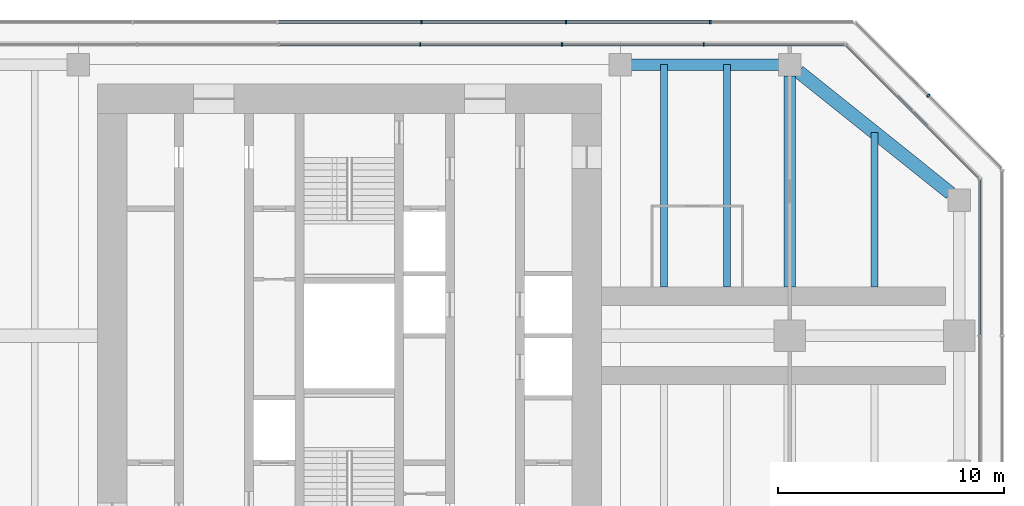
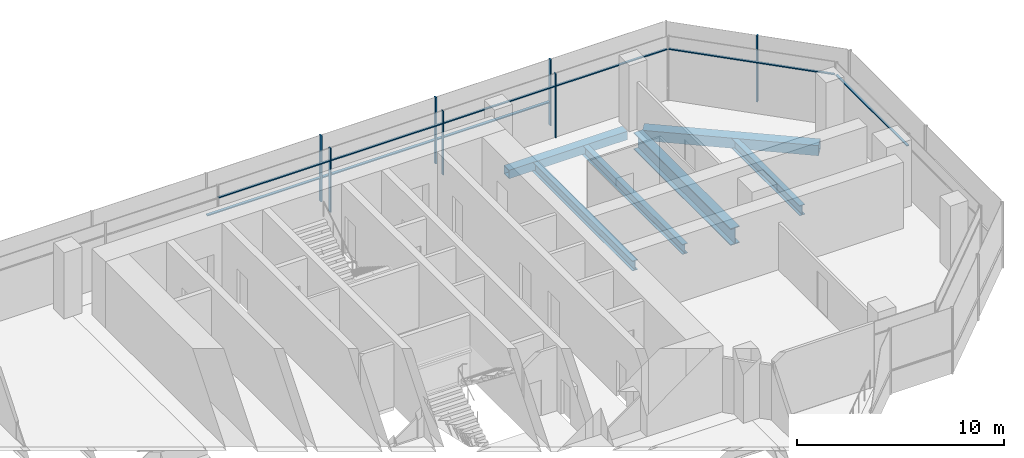
# One storey, part 7 of 15: 16 members, 6 beams, 5 elements without a shape of their own.
"""IFC4 building model written with IfcOpenShell, lengths in metres."""

from ifc_helpers import new_model, si_unit, direction, frame, origin, origin_2d, place, context, subcontext, project, spatial, rectangle, hollow_rectangle, i_section, extrude, material, material_profile, profile_set, type_object, element, aggregate, save


model = new_model("IFC4")

# Units and contexts
model_context = context("Model", 3, precision=1e-05, world=origin(), true_north=direction((0.0, 1.0)))
body_context = subcontext(model_context, "Body", "Model", "MODEL_VIEW")
ifc_project = project(units=[si_unit("LENGTHUNIT", "METRE"), si_unit("AREAUNIT", "SQUARE_METRE"), si_unit("VOLUMEUNIT", "CUBIC_METRE"), si_unit("PLANEANGLEUNIT", "RADIAN"), si_unit("MASSUNIT", "GRAM", prefix="KILO")], contexts=[model_context])

# Site, building, storey
site_placement = place(None, origin())
site = spatial("IfcSite", under=ifc_project, at=site_placement, CompositionType="ELEMENT")
building_placement = place(site_placement, origin())
building = spatial("IfcBuilding", under=site, at=building_placement, Name="Mizan Broadcast Tower", CompositionType="ELEMENT")
storey_placement = place(building_placement, frame((0.0, 0.0, 298.5)))
storey = spatial("IfcBuildingStorey", under=building, at=storey_placement, Name="L71", CompositionType="ELEMENT", Elevation=298.5)

# Beams
ifc_material_1 = material(Name="Steel S355", Category="steel")
ifc_material_profile_1 = material_profile(ifc_material_1, hollow_rectangle(XDim=0.5, YDim=0.5, WallThickness=0.030029296875, at=origin_2d()), Name="BOX 500x500x30")
ifc_profile_set_1 = profile_set([ifc_material_profile_1], Name="Steel S355")
beam_type_1 = type_object("IfcBeamType", Name="EDGE BEAM BOX 500x500x30", PredefinedType="SPANDREL", material=ifc_profile_set_1)
beam_1_placement = place(storey_placement, frame((12.449951171875, 12.0, -0.3798828125), z_axis=(1.0, 0.0, 0.0), x_axis=(0.0, 1.0, 0.0)))
element("IfcBeam", 1, at=beam_1_placement, inside=storey, type_object=beam_type_1, Name="Edge beam BOX 500x500x30 L71 east arm", PredefinedType="SPANDREL", context=body_context, shape_type="SweptSolid", body=[
    extrude(hollow_rectangle(XDim=0.5, YDim=0.5, WallThickness=0.030029296875, at=origin_2d()), origin(), (0.0, 0.0, 1.0), 6.60009765625),
])
ifc_material_2 = material(Name="Steel S355", Category="steel")
ifc_material_profile_2 = material_profile(ifc_material_2, hollow_rectangle(XDim=0.60009765625, YDim=0.60009765625, WallThickness=0.030029296875, at=origin_2d()), Name="BOX 600x600x30")
ifc_profile_set_2 = profile_set([ifc_material_profile_2], Name="Steel S355")
beam_type_2 = type_object("IfcBeamType", Name="EDGE BEAM BOX 600x600x30", PredefinedType="SPANDREL", material=ifc_profile_set_2)
beam_2_placement = place(storey_placement, frame((19.890380859375, 11.687744140625, -0.429931640625), z_axis=(0.780863273348, -0.62470196761, 0.0), x_axis=(0.62470196761, 0.780863273348, 0.0)))
element("IfcBeam", 2, at=beam_2_placement, inside=storey, type_object=beam_type_2, Name="Edge beam BOX 600x600x30 L71 east arm", PredefinedType="SPANDREL", context=body_context, shape_type="SweptSolid", body=[
    extrude(hollow_rectangle(XDim=0.60009765625, YDim=0.60009765625, WallThickness=0.030029296875, at=origin_2d()), origin(), (0.0, 0.0, 1.0), 8.60498046875),
])
ifc_material_3 = material(Name="Steel S460", Category="steel")
ifc_material_profile_3 = material_profile(ifc_material_3, i_section(OverallWidth=0.5, OverallDepth=1.0, WebThickness=0.02490234375, FlangeThickness=0.050048828125, at=origin_2d()), Name="WPG 1000x500")
ifc_profile_set_3 = profile_set([ifc_material_profile_3], Name="Steel S460")
beam_type_3 = type_object("IfcBeamType", Name="GIRDER WPG 1000x500", PredefinedType="BEAM", material=ifc_profile_set_3)
beam_3_placement = place(storey_placement, frame((19.5, 11.5, -0.6298828125), z_axis=(0.0, -1.0, 0.0), x_axis=(1.0, 0.0, 0.0)))
element("IfcBeam", 3, at=beam_3_placement, inside=storey, type_object=beam_type_3, Name="Girder WPG 1000x500 L71 east arm", PredefinedType="BEAM", context=body_context, shape_type="SweptSolid", body=[
    extrude(i_section(OverallWidth=0.5, OverallDepth=1.0, WebThickness=0.02490234375, FlangeThickness=0.050048828125, at=origin_2d()), origin(), (0.0, 0.0, 1.0), 9.35009765625),
])

# Curtain wall, members
ifc_material_4 = material(Name="Aluminium framed glazing", Category="aluminium")
curtain_wall_type_1 = type_object("IfcCurtainWallType", Name="INNER SKIN TOP ZONE", PredefinedType="USERDEFINED", material=ifc_material_4)
curtain_wall_1_placement = place(storey_placement, origin())
curtain_wall_1 = element("IfcCurtainWall", 4, at=curtain_wall_1_placement, inside=storey, type_object=curtain_wall_type_1, Name="Inner skin top zone L71 N end", ObjectType="INNER SKIN TOP ZONE", PredefinedType="USERDEFINED")
ifc_material_5 = material(Name="Aluminium, pale anodised", Category="aluminium")
ifc_material_profile_4 = material_profile(ifc_material_5, rectangle(XDim=0.159912109375, YDim=0.06005859375, at=origin_2d()), Name="MULLION 160x60")
ifc_profile_set_4 = profile_set([ifc_material_profile_4], Name="Aluminium, pale anodised")
member_type_1 = type_object("IfcMemberType", Name="INNER SKIN MULLION 60x160", PredefinedType="MULLION", material=ifc_profile_set_4)
member_1_placement = place(storey_placement, frame((15.684814453125, 12.89990234375, 0.0), z_axis=(0.0, 0.0, 1.0), x_axis=(0.0, -1.0, 0.0)))
member_1 = element("IfcMember", 5, at=member_1_placement, type_object=member_type_1, Name="Inner skin top zone L71 N end mullion 2", PredefinedType="MULLION", context=body_context, shape_type="SweptSolid", body=[
    extrude(rectangle(XDim=0.159912109375, YDim=0.06005859375, at=origin_2d()), origin(), (0.0, 0.0, 1.0), 3.77001953125),
])
member_2_placement = place(storey_placement, frame((9.410888671875, 12.89990234375, 0.0), z_axis=(0.0, 0.0, 1.0), x_axis=(0.0, -1.0, 0.0)))
member_2 = element("IfcMember", 6, at=member_2_placement, type_object=member_type_1, Name="Inner skin top zone L71 N end mullion 3", PredefinedType="MULLION", context=body_context, shape_type="SweptSolid", body=[
    extrude(rectangle(XDim=0.159912109375, YDim=0.06005859375, at=origin_2d()), origin(), (0.0, 0.0, 1.0), 3.77001953125),
])
member_3_placement = place(storey_placement, frame((3.136962890625, 12.89990234375, 0.0), z_axis=(0.0, 0.0, 1.0), x_axis=(0.0, -1.0, 0.0)))
member_3 = element("IfcMember", 7, at=member_3_placement, type_object=member_type_1, Name="Inner skin top zone L71 N end mullion 4", PredefinedType="MULLION", context=body_context, shape_type="SweptSolid", body=[
    extrude(rectangle(XDim=0.159912109375, YDim=0.06005859375, at=origin_2d()), origin(), (0.0, 0.0, 1.0), 3.77001953125),
])

# Curtain wall, member
curtain_wall_2_placement = place(storey_placement, origin())
curtain_wall_2 = element("IfcCurtainWall", 8, at=curtain_wall_2_placement, inside=storey, type_object=curtain_wall_type_1, Name="Inner skin top zone L71 E end", ObjectType="INNER SKIN TOP ZONE", PredefinedType="USERDEFINED")
ifc_material_6 = material(Name="Aluminium, pale anodised", Category="aluminium")
ifc_material_profile_5 = material_profile(ifc_material_6, rectangle(XDim=0.1201171875, YDim=0.06005859375, at=origin_2d()), Name="TRANSOM 120x60")
ifc_profile_set_5 = profile_set([ifc_material_profile_5], Name="Aluminium, pale anodised")
member_type_2 = type_object("IfcMemberType", Name="INNER SKIN TRANSOM 60x120", PredefinedType="USERDEFINED", material=ifc_profile_set_5)
member_4_placement = place(storey_placement, frame((27.89990234375, 0.030029296875, 3.030029296875), z_axis=(0.0, 1.0, 0.0), x_axis=(-1.0, 0.0, 0.0)))
member_4 = element("IfcMember", 9, at=member_4_placement, type_object=member_type_2, Name="Inner skin top zone L71 E end transom 2.1", ObjectType="TRANSOM", PredefinedType="USERDEFINED", context=body_context, shape_type="SweptSolid", body=[
    extrude(rectangle(XDim=0.1201171875, YDim=0.06005859375, at=origin_2d()), origin(), (0.0, 0.0, 1.0), 6.86865234375),
])
aggregate(curtain_wall_2, [member_4])

curtain_wall_3_placement = place(storey_placement, origin())
curtain_wall_3 = element("IfcCurtainWall", 10, at=curtain_wall_3_placement, inside=storey, type_object=curtain_wall_type_1, Name="Inner skin top zone L71 E chamfer", ObjectType="INNER SKIN TOP ZONE", PredefinedType="USERDEFINED")
member_5_placement = place(storey_placement, frame((27.857666015625, 7.0009765625, 3.030029296875), z_axis=(-0.707106781187, 0.707106781187, 0.0), x_axis=(-0.707106781187, -0.707106781187, 0.0)))
member_5 = element("IfcMember", 11, at=member_5_placement, type_object=member_type_2, Name="Inner skin top zone L71 E chamfer transom 1.1", ObjectType="TRANSOM", PredefinedType="USERDEFINED", context=body_context, shape_type="SweptSolid", body=[
    extrude(rectangle(XDim=0.1201171875, YDim=0.06005859375, at=origin_2d()), origin(), (0.0, 0.0, 1.0), 8.28271484375),
])
aggregate(curtain_wall_3, [member_5])

# Member
member_6_placement = place(storey_placement, frame((21.898681640625, 12.89990234375, 3.030029296875), z_axis=(-1.0, 0.0, 0.0), x_axis=(0.0, -1.0, 0.0)))
member_6 = element("IfcMember", 12, at=member_6_placement, type_object=member_type_2, Name="Inner skin top zone L71 N end transom 1.1", ObjectType="TRANSOM", PredefinedType="USERDEFINED", context=body_context, shape_type="SweptSolid", body=[
    extrude(rectangle(XDim=0.1201171875, YDim=0.06005859375, at=origin_2d()), origin(), (0.0, 0.0, 1.0), 6.18408203125),
])

member_7_placement = place(storey_placement, frame((15.65478515625, 12.89990234375, 3.030029296875), z_axis=(-1.0, 0.0, 0.0), x_axis=(0.0, -1.0, 0.0)))
member_7 = element("IfcMember", 13, at=member_7_placement, type_object=member_type_2, Name="Inner skin top zone L71 N end transom 2.1", ObjectType="TRANSOM", PredefinedType="USERDEFINED", context=body_context, shape_type="SweptSolid", body=[
    extrude(rectangle(XDim=0.1201171875, YDim=0.06005859375, at=origin_2d()), origin(), (0.0, 0.0, 1.0), 6.2138671875),
])

member_8_placement = place(storey_placement, frame((9.380859375, 12.89990234375, 3.030029296875), z_axis=(-1.0, 0.0, 0.0), x_axis=(0.0, -1.0, 0.0)))
member_8 = element("IfcMember", 14, at=member_8_placement, type_object=member_type_2, Name="Inner skin top zone L71 N end transom 3.1", ObjectType="TRANSOM", PredefinedType="USERDEFINED", context=body_context, shape_type="SweptSolid", body=[
    extrude(rectangle(XDim=0.1201171875, YDim=0.06005859375, at=origin_2d()), origin(), (0.0, 0.0, 1.0), 6.2138671875),
])

member_9_placement = place(storey_placement, frame((3.10693359375, 12.89990234375, 3.030029296875), z_axis=(-1.0, 0.0, 0.0), x_axis=(0.0, -1.0, 0.0)))
member_9 = element("IfcMember", 15, at=member_9_placement, type_object=member_type_2, Name="Inner skin top zone L71 N end transom 4.1", ObjectType="TRANSOM", PredefinedType="USERDEFINED", context=body_context, shape_type="SweptSolid", body=[
    extrude(rectangle(XDim=0.1201171875, YDim=0.06005859375, at=origin_2d()), origin(), (0.0, 0.0, 1.0), 6.2138671875),
])

aggregate(curtain_wall_1, [member_1, member_2, member_3, member_6, member_7, member_8, member_9])

# Curtain wall, member
ifc_material_7 = material(Name="Aluminium framed glazing", Category="aluminium")
curtain_wall_type_2 = type_object("IfcCurtainWallType", Name="OUTER SKIN", PredefinedType="USERDEFINED", material=ifc_material_7)
curtain_wall_4_placement = place(storey_placement, origin())
curtain_wall_4 = element("IfcCurtainWall", 16, at=curtain_wall_4_placement, inside=storey, type_object=curtain_wall_type_2, Name="Outer skin L71 E chamfer", ObjectType="OUTER SKIN", PredefinedType="USERDEFINED")
ifc_material_8 = material(Name="Aluminium, pale anodised", Category="aluminium")
ifc_material_profile_6 = material_profile(ifc_material_8, rectangle(XDim=0.159912109375, YDim=0.080078125, at=origin_2d()), Name="MULLION 160x80")
ifc_profile_set_6 = profile_set([ifc_material_profile_6], Name="Aluminium, pale anodised")
member_type_3 = type_object("IfcMemberType", Name="OUTER SKIN MULLION 80x160", PredefinedType="MULLION", material=ifc_profile_set_6)
member_10_placement = place(storey_placement, frame((25.636474609375, 10.636474609375, 0.0), z_axis=(0.0, 0.0, 1.0), x_axis=(-0.707106781187, -0.707106781187, 0.0)))
member_10 = element("IfcMember", 17, at=member_10_placement, type_object=member_type_3, Name="Outer skin L71 E chamfer mullion 2", PredefinedType="MULLION", context=body_context, shape_type="SweptSolid", body=[
    extrude(rectangle(XDim=0.159912109375, YDim=0.080078125, at=origin_2d()), origin(), (0.0, 0.0, 1.0), 3.89990234375),
])
aggregate(curtain_wall_4, [member_10])

# Curtain wall, members
curtain_wall_5_placement = place(storey_placement, origin())
curtain_wall_5 = element("IfcCurtainWall", 18, at=curtain_wall_5_placement, inside=storey, type_object=curtain_wall_type_2, Name="Outer skin L71 N end", ObjectType="OUTER SKIN", PredefinedType="USERDEFINED")
member_11_placement = place(storey_placement, frame((15.98046875, 13.89990234375, 0.0), z_axis=(0.0, 0.0, 1.0), x_axis=(0.0, -1.0, 0.0)))
member_11 = element("IfcMember", 19, at=member_11_placement, type_object=member_type_3, Name="Outer skin L71 N end mullion 2", PredefinedType="MULLION", context=body_context, shape_type="SweptSolid", body=[
    extrude(rectangle(XDim=0.159912109375, YDim=0.080078125, at=origin_2d()), origin(), (0.0, 0.0, 1.0), 3.89990234375),
])
member_12_placement = place(storey_placement, frame((9.58837890625, 13.89990234375, 0.0), z_axis=(0.0, 0.0, 1.0), x_axis=(0.0, -1.0, 0.0)))
member_12 = element("IfcMember", 20, at=member_12_placement, type_object=member_type_3, Name="Outer skin L71 N end mullion 3", PredefinedType="MULLION", context=body_context, shape_type="SweptSolid", body=[
    extrude(rectangle(XDim=0.159912109375, YDim=0.080078125, at=origin_2d()), origin(), (0.0, 0.0, 1.0), 3.89990234375),
])
member_13_placement = place(storey_placement, frame((3.196044921875, 13.89990234375, 0.0), z_axis=(0.0, 0.0, 1.0), x_axis=(0.0, -1.0, 0.0)))
member_13 = element("IfcMember", 21, at=member_13_placement, type_object=member_type_3, Name="Outer skin L71 N end mullion 4", PredefinedType="MULLION", context=body_context, shape_type="SweptSolid", body=[
    extrude(rectangle(XDim=0.159912109375, YDim=0.080078125, at=origin_2d()), origin(), (0.0, 0.0, 1.0), 3.89990234375),
])
ifc_material_9 = material(Name="Aluminium, pale anodised", Category="aluminium")
ifc_material_profile_7 = material_profile(ifc_material_9, rectangle(XDim=0.159912109375, YDim=0.06005859375, at=origin_2d()), Name="TRANSOM 160x60")
ifc_profile_set_7 = profile_set([ifc_material_profile_7], Name="Aluminium, pale anodised")
member_type_4 = type_object("IfcMemberType", Name="OUTER SKIN TRANSOM 60x160", PredefinedType="USERDEFINED", material=ifc_profile_set_7)
member_14_placement = place(storey_placement, frame((15.940673828125, 13.89990234375, 1.39990234375), z_axis=(-1.0, 0.0, 0.0), x_axis=(0.0, -1.0, 0.0)))
member_14 = element("IfcMember", 22, at=member_14_placement, type_object=member_type_4, Name="Outer skin L71 N end transom 2.1", ObjectType="TRANSOM", PredefinedType="USERDEFINED", context=body_context, shape_type="SweptSolid", body=[
    extrude(rectangle(XDim=0.159912109375, YDim=0.06005859375, at=origin_2d()), origin(), (0.0, 0.0, 1.0), 6.312255859375),
])
member_15_placement = place(storey_placement, frame((9.54833984375, 13.89990234375, 1.39990234375), z_axis=(-1.0, 0.0, 0.0), x_axis=(0.0, -1.0, 0.0)))
member_15 = element("IfcMember", 23, at=member_15_placement, type_object=member_type_4, Name="Outer skin L71 N end transom 3.1", ObjectType="TRANSOM", PredefinedType="USERDEFINED", context=body_context, shape_type="SweptSolid", body=[
    extrude(rectangle(XDim=0.159912109375, YDim=0.06005859375, at=origin_2d()), origin(), (0.0, 0.0, 1.0), 6.312255859375),
])
member_16_placement = place(storey_placement, frame((3.156005859375, 13.89990234375, 1.39990234375), z_axis=(-1.0, 0.0, 0.0), x_axis=(0.0, -1.0, 0.0)))
member_16 = element("IfcMember", 24, at=member_16_placement, type_object=member_type_4, Name="Outer skin L71 N end transom 4.1", ObjectType="TRANSOM", PredefinedType="USERDEFINED", context=body_context, shape_type="SweptSolid", body=[
    extrude(rectangle(XDim=0.159912109375, YDim=0.06005859375, at=origin_2d()), origin(), (0.0, 0.0, 1.0), 6.31201171875),
])
aggregate(curtain_wall_5, [member_11, member_12, member_13, member_14, member_15, member_16])

# Beams
ifc_material_10 = material(Name="Steel S355", Category="steel")
ifc_material_profile_8 = material_profile(ifc_material_10, i_section(OverallWidth=0.300048828125, OverallDepth=0.590087890625, WebThickness=0.012939453125, FlangeThickness=0.02490234375, FilletRadius=0.027099609375, at=origin_2d()), Name="HEA 600")
ifc_profile_set_8 = profile_set([ifc_material_profile_8], Name="Steel S355")
beam_type_4 = type_object("IfcBeamType", Name="SECONDARY BEAM HEA 600", PredefinedType="JOIST", material=ifc_profile_set_8)
for number, where, z_axis, x_axis, name in (
    (25, (13.933349609375, 12.0, -0.425048828125), (0.0, -1.0, 0.0), (1.0, 0.0, 0.0), "Secondary beam HEA 600 L71 east arm"),
    (26, (16.716552734375, 12.0, -0.425048828125), (0.0, -1.0, 0.0), (1.0, 0.0, 0.0), "Secondary beam HEA 600 L71 east arm"),
):
    element("IfcBeam", number, at=place(storey_placement, frame(where, z_axis=z_axis, x_axis=x_axis)), inside=storey, type_object=beam_type_4, Name=name, PredefinedType="JOIST", context=body_context, shape_type="SweptSolid", body=[
        extrude(i_section(OverallWidth=0.300048828125, OverallDepth=0.590087890625, WebThickness=0.012939453125, FlangeThickness=0.02490234375, FilletRadius=0.027099609375, at=origin_2d()), origin(), (0.0, 0.0, 1.0), 9.85009765625),
    ])
beam_4_placement = place(storey_placement, frame((23.25, 9.0, -0.425048828125), z_axis=(0.0, -1.0, 0.0), x_axis=(1.0, 0.0, 0.0)))
element("IfcBeam", 27, at=beam_4_placement, inside=storey, type_object=beam_type_4, Name="Secondary beam HEA 600 L71 east arm", PredefinedType="JOIST", context=body_context, shape_type="SweptSolid", body=[
    extrude(i_section(OverallWidth=0.300048828125, OverallDepth=0.590087890625, WebThickness=0.012939453125, FlangeThickness=0.02490234375, FilletRadius=0.027099609375, at=origin_2d()), origin(), (0.0, 0.0, 1.0), 6.85009765625),
])

save(model, "model.ifc")
